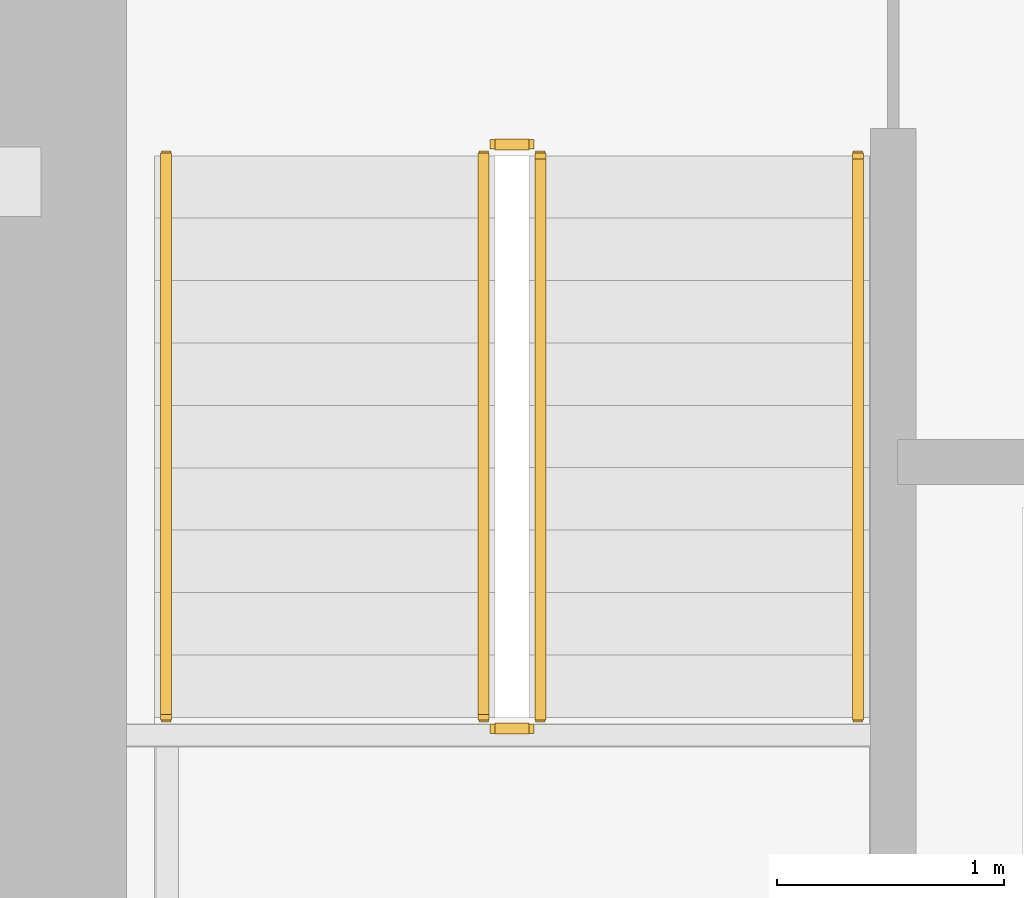
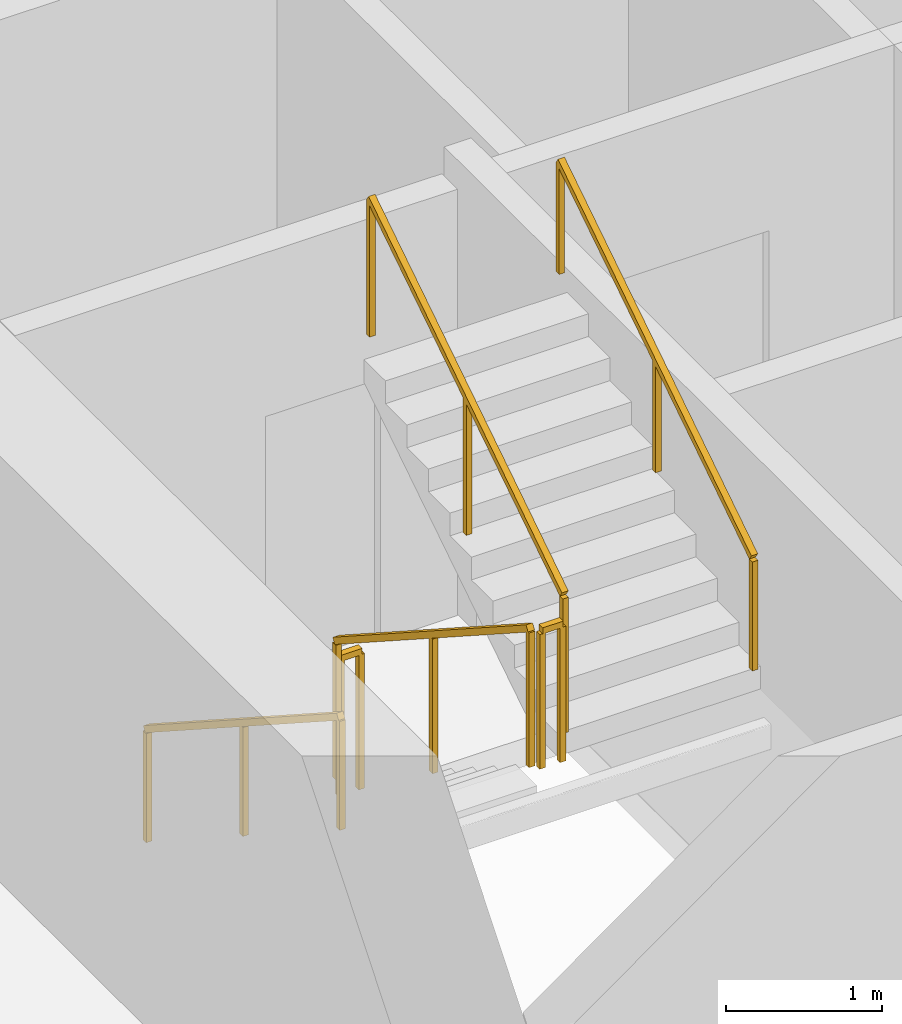
# One storey, part 11 of 13: 6 railings.
"""IFC4 building model written with IfcOpenShell, lengths in metres."""

from ifc_helpers import new_model, si_unit, direction, frame, origin, origin_2d, place, context, subcontext, project, spatial, rectangle, extrude, material, type_object, element, save


model = new_model("IFC4")

# Units and contexts
model_context = context("Model", 3, precision=1e-05, world=origin(), true_north=direction((0.0, 1.0)))
body_context = subcontext(model_context, "Body", "Model", "MODEL_VIEW")
ifc_project = project(units=[si_unit("LENGTHUNIT", "METRE"), si_unit("AREAUNIT", "SQUARE_METRE"), si_unit("VOLUMEUNIT", "CUBIC_METRE"), si_unit("PLANEANGLEUNIT", "RADIAN"), si_unit("MASSUNIT", "GRAM", prefix="KILO")], contexts=[model_context])

# Site, building, storey
site_placement = place(None, origin())
site = spatial("IfcSite", under=ifc_project, at=site_placement, CompositionType="ELEMENT")
building_placement = place(site_placement, origin())
building = spatial("IfcBuilding", under=site, at=building_placement, Name="Cinnabar Lancet Tower", CompositionType="ELEMENT")
storey_placement = place(building_placement, frame((0.0, 0.0, 83.550048828125)))
storey = spatial("IfcBuildingStorey", under=building, at=storey_placement, Name="L21", CompositionType="ELEMENT", Elevation=83.550048828125)

# Railings
ifc_material_1 = material(Name="Painted galvanized steel balustrade", Category="steel")
railing_type_1 = type_object("IfcRailingType", Name="GUARD-STAIR", PredefinedType="GUARDRAIL", material=ifc_material_1)
railing_1_placement = place(storey_placement, frame((24.97509765625, 28.39990234375, 0.177490234375)))
element("IfcRailing", 1, at=railing_1_placement, inside=storey, type_object=railing_type_1, Name="L21 ST-1 stair guard 1", PredefinedType="GUARDRAIL", context=body_context, shape_type="SweptSolid", body=[
    extrude(rectangle(XDim=0.048095703125, YDim=0.048095703125, at=origin_2d()), frame((0.0, 0.0, 1.076171875), z_axis=(0.0, -0.840183358697, 0.542302428327), x_axis=(1.0, 0.0, 0.0)), (0.0, 0.0, 1.0), 2.945556640625),
    extrude(rectangle(XDim=0.0419921875, YDim=0.0419921875, at=origin_2d()), origin(), (0.0, 0.0, 1.0), 1.052001953125),
    extrude(rectangle(XDim=0.0419921875, YDim=0.0419921875, at=origin_2d()), frame((0.0, -1.2373046875, 0.798828125)), (0.0, 0.0, 1.0), 1.052001953125),
    extrude(rectangle(XDim=0.0419921875, YDim=0.0419921875, at=origin_2d()), frame((0.0, -2.474853515625, 1.597412109375)), (0.0, 0.0, 1.0), 1.052001953125),
])
railing_2_placement = place(storey_placement, frame((25.02490234375, 25.875, 1.77490234375)))
element("IfcRailing", 2, at=railing_2_placement, inside=storey, type_object=railing_type_1, Name="L21 ST-1 stair guard 2", PredefinedType="GUARDRAIL", context=body_context, shape_type="SweptSolid", body=[
    extrude(rectangle(XDim=0.048095703125, YDim=0.048095703125, at=origin_2d()), frame((0.0, 0.0, 1.076171875), z_axis=(1.0, 0.0, 0.0), x_axis=(0.0, 1.0, 0.0)), (0.0, 0.0, 1.0), 0.150146484375),
    extrude(rectangle(XDim=0.0419921875, YDim=0.0419921875, at=origin_2d()), origin(), (0.0, 0.0, 1.0), 1.052001953125),
    extrude(rectangle(XDim=0.0419921875, YDim=0.0419921875, at=origin_2d()), frame((0.150146484375, 0.0, 0.0)), (0.0, 0.0, 1.0), 1.052001953125),
])
railing_3_placement = place(storey_placement, frame((25.22509765625, 25.925048828125, 1.952392578125)))
element("IfcRailing", 3, at=railing_3_placement, inside=storey, type_object=railing_type_1, Name="L21 ST-1 stair guard 3", PredefinedType="GUARDRAIL", context=body_context, shape_type="SweptSolid", body=[
    extrude(rectangle(XDim=0.048095703125, YDim=0.048095703125, at=origin_2d()), frame((0.0, 0.0, 1.076171875), z_axis=(0.0, 0.84014559416, 0.542360932049), x_axis=(-1.0, 0.0, 0.0)), (0.0, 0.0, 1.0), 2.94580078125),
    extrude(rectangle(XDim=0.0419921875, YDim=0.0419921875, at=origin_2d()), origin(), (0.0, 0.0, 1.0), 1.052001953125),
    extrude(rectangle(XDim=0.0419921875, YDim=0.0419921875, at=origin_2d()), frame((0.0, 1.2373046875, 0.798828125)), (0.0, 0.0, 1.0), 1.052001953125),
    extrude(rectangle(XDim=0.0419921875, YDim=0.0419921875, at=origin_2d()), frame((0.0, 2.474853515625, 1.59765625)), (0.0, 0.0, 1.0), 1.052001953125),
])
railing_4_placement = place(storey_placement, frame((25.02490234375, 28.449951171875, 0.0)))
element("IfcRailing", 4, at=railing_4_placement, inside=storey, type_object=railing_type_1, Name="L21 ST-1 stair guard 4", PredefinedType="GUARDRAIL", context=body_context, shape_type="SweptSolid", body=[
    extrude(rectangle(XDim=0.048095703125, YDim=0.048095703125, at=origin_2d()), frame((0.0, 0.0, 1.076171875), z_axis=(1.0, 0.0, 0.0), x_axis=(0.0, 1.0, 0.0)), (0.0, 0.0, 1.0), 0.150146484375),
    extrude(rectangle(XDim=0.0419921875, YDim=0.0419921875, at=origin_2d()), origin(), (0.0, 0.0, 1.0), 1.052001953125),
    extrude(rectangle(XDim=0.0419921875, YDim=0.0419921875, at=origin_2d()), frame((0.150146484375, 0.0, 0.0)), (0.0, 0.0, 1.0), 1.052001953125),
])
ifc_material_2 = material(Name="Brushed stainless steel handrail", Category="steel")
railing_type_2 = type_object("IfcRailingType", Name="HANDRAIL-STAIR", PredefinedType="HANDRAIL", material=ifc_material_2)
railing_5_placement = place(storey_placement, frame((23.574951171875, 28.39990234375, 0.177490234375)))
element("IfcRailing", 5, at=railing_5_placement, inside=storey, type_object=railing_type_2, Name="L21 ST-1 stair handrail 1", PredefinedType="HANDRAIL", context=body_context, shape_type="SweptSolid", body=[
    extrude(rectangle(XDim=0.048095703125, YDim=0.048095703125, at=origin_2d()), frame((0.0, 0.0, 0.8759765625), z_axis=(0.0, -0.840183358697, 0.542302428327), x_axis=(1.0, 0.0, 0.0)), (0.0, 0.0, 1.0), 2.945556640625),
    extrude(rectangle(XDim=0.0419921875, YDim=0.0419921875, at=origin_2d()), origin(), (0.0, 0.0, 1.0), 0.851806640625),
    extrude(rectangle(XDim=0.0419921875, YDim=0.0419921875, at=origin_2d()), frame((0.0, -1.2373046875, 0.798828125)), (0.0, 0.0, 1.0), 0.851806640625),
    extrude(rectangle(XDim=0.0419921875, YDim=0.0419921875, at=origin_2d()), frame((0.0, -2.474853515625, 1.597412109375)), (0.0, 0.0, 1.0), 0.851806640625),
])
railing_6_placement = place(storey_placement, frame((26.625, 25.925048828125, 1.952392578125)))
element("IfcRailing", 6, at=railing_6_placement, inside=storey, type_object=railing_type_2, Name="L21 ST-1 stair handrail 2", PredefinedType="HANDRAIL", context=body_context, shape_type="SweptSolid", body=[
    extrude(rectangle(XDim=0.048095703125, YDim=0.048095703125, at=origin_2d()), frame((0.0, 0.0, 0.8759765625), z_axis=(0.0, 0.84014559416, 0.542360932049), x_axis=(-1.0, 0.0, 0.0)), (0.0, 0.0, 1.0), 2.94580078125),
    extrude(rectangle(XDim=0.0419921875, YDim=0.0419921875, at=origin_2d()), origin(), (0.0, 0.0, 1.0), 0.851806640625),
    extrude(rectangle(XDim=0.0419921875, YDim=0.0419921875, at=origin_2d()), frame((0.0, 1.2373046875, 0.798828125)), (0.0, 0.0, 1.0), 0.851806640625),
    extrude(rectangle(XDim=0.0419921875, YDim=0.0419921875, at=origin_2d()), frame((0.0, 2.474853515625, 1.59765625)), (0.0, 0.0, 1.0), 0.851806640625),
])

save(model, "model.ifc")
